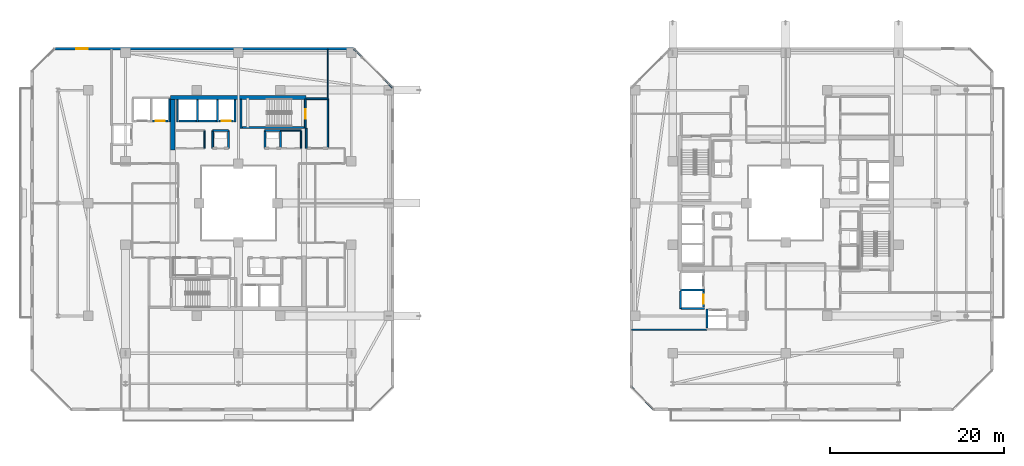
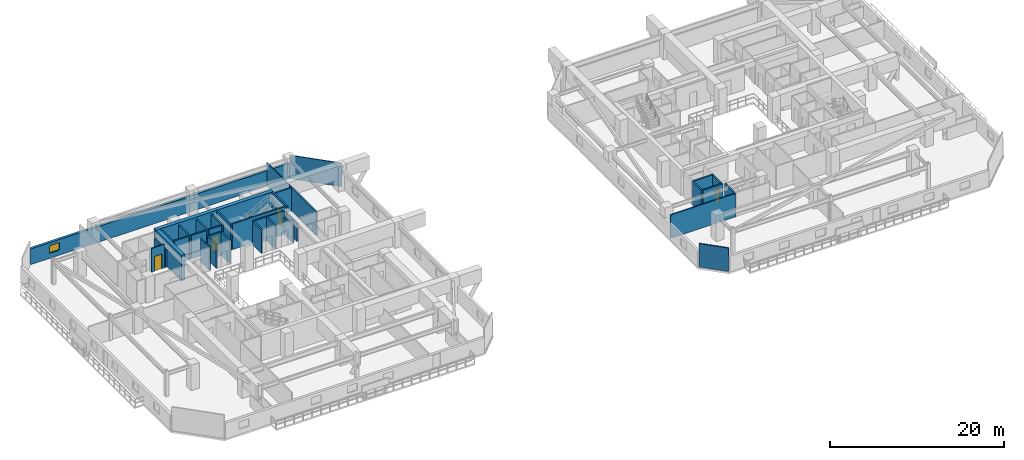
# One storey, part 23 of 35: 36 walls, 4 doors, 1 window, 5 openings.
"""IFC4 building model written with IfcOpenShell, lengths in metres."""

import ifcopenshell
import ifcopenshell.guid

model = None  # the IFC model being written
_history = None  # IfcOwnerHistory: only IFC2X3 demands one
_inside = {}  # id of a spatial element -> (the spatial element, [elements in it])
_under = {}  # id of a project, library or spatial element -> (it, [spatial elements below it])
_declared = {}  # id of a project -> (the project, [libraries it declares])
_typed = {}  # id of a type object -> (the type object, [elements of that type])
_made_of = {}  # id of a material, layer set ... -> (it, [elements and type objects made of it])


def new_model(schema):
    """Start an empty IFC model of exactly this schema.

    Asked for "IFC4X3", IfcOpenShell would pick the latest addendum, in which some entities
    have other attributes; the version numbers below select the first issue.
    IFC2X3 requires an IfcOwnerHistory on every rooted entity: one is made here for all.
    """
    global model, _history
    if schema == "IFC4X3":
        model = ifcopenshell.file(schema_version=(4, 3, 0, 0))
    else:
        model = ifcopenshell.file(schema=schema)
    _inside.clear()
    _under.clear()
    _declared.clear()
    _typed.clear()
    _made_of.clear()
    _history = None
    if model.schema == "IFC2X3":
        org = make("IfcOrganization", Name="unknown")
        user = make(
            "IfcPersonAndOrganization",
            ThePerson=make("IfcPerson", FamilyName="unknown"),
            TheOrganization=org,
        )
        app = make(
            "IfcApplication",
            ApplicationDeveloper=org,
            Version="unknown",
            ApplicationFullName="unknown",
            ApplicationIdentifier="unknown",
        )
        _history = make(
            "IfcOwnerHistory",
            OwningUser=user,
            OwningApplication=app,
            ChangeAction="ADDED",
            CreationDate=0,
        )
    return model


def make(cls, **values):
    """One entity of the class cls with the attributes given. An attribute that is None is left unset."""
    return model.create_entity(
        cls, **{name: value for name, value in values.items() if value is not None}
    )


def rooted(cls, **values):
    """An entity with a GlobalId (a new one), such as an element, a storey or a relation."""
    return make(cls, GlobalId=ifcopenshell.guid.new(), OwnerHistory=_history, **values)


def si_unit(unit_type, name, prefix=None):
    """IfcSIUnit, for example si_unit("LENGTHUNIT", "METRE", prefix="MILLI")."""
    return make("IfcSIUnit", UnitType=unit_type, Prefix=prefix, Name=name)


def assignment(units):
    """IfcUnitAssignment: the units of a project."""
    return None if units is None else make("IfcUnitAssignment", Units=units)


def point(xyz):
    """IfcCartesianPoint."""
    return None if xyz is None else make("IfcCartesianPoint", Coordinates=xyz)


def direction(xyz):
    """IfcDirection."""
    return None if xyz is None else make("IfcDirection", DirectionRatios=xyz)


def frame(location, z_axis=None, x_axis=None):
    """IfcAxis2Placement3D, a coordinate frame: its origin and axes. An axis left out is left unset."""
    return make(
        "IfcAxis2Placement3D",
        Location=point(location),
        Axis=direction(z_axis),
        RefDirection=direction(x_axis),
    )


def frame_2d(location, x_axis=None):
    """IfcAxis2Placement2D, a coordinate frame in the plane: its origin and x axis."""
    return make(
        "IfcAxis2Placement2D", Location=point(location), RefDirection=direction(x_axis)
    )


def origin():
    """The frame at (0, 0, 0) with its axes left unset."""
    return frame((0.0, 0.0, 0.0))


def place(relative_to, where):
    """IfcLocalPlacement: puts the frame where relative to a parent placement (None: the world)."""
    return make(
        "IfcLocalPlacement", PlacementRelTo=relative_to, RelativePlacement=where
    )


def context(
    kind, dimensions, precision=None, world=None, true_north=None, identifier=None
):
    """IfcGeometricRepresentationContext, for example the 3D "Model" context."""
    return make(
        "IfcGeometricRepresentationContext",
        ContextIdentifier=identifier,
        ContextType=kind,
        CoordinateSpaceDimension=dimensions,
        Precision=precision,
        WorldCoordinateSystem=world,
        TrueNorth=true_north,
    )


def subcontext(parent, identifier, kind, view, scale=None):
    """IfcGeometricRepresentationSubContext, for example "Body" below "Model"."""
    return make(
        "IfcGeometricRepresentationSubContext",
        ContextIdentifier=identifier,
        ContextType=kind,
        ParentContext=parent,
        TargetScale=scale,
        TargetView=view,
    )


def project(units=None, contexts=None):
    """IfcProject with its units and contexts."""
    return rooted(
        "IfcProject",
        Name="project",
        RepresentationContexts=contexts,
        UnitsInContext=assignment(units),
    )


def spatial(cls, under=None, at=None, **own):
    """A site, building, storey or space (cls), placed at a placement, below another one or the project."""
    s = rooted(cls, ObjectPlacement=at, **own)
    if under is not None:
        _under.setdefault(under.id(), (under, []))[1].append(s)
    return s


def profile(cls, at=None, kind="AREA", **sizes):
    """A parametric profile (cls). Its sizes go by their IFC names, for example OverallWidth=200.0."""
    return make(cls, ProfileType=kind, Position=at, **sizes)


def rectangle(**sizes):
    """IfcRectangleProfileDef."""
    return profile("IfcRectangleProfileDef", **sizes)


def extrude(swept, where, along, depth):
    """IfcExtrudedAreaSolid: the profile swept, set in the frame where, extruded along a direction by depth."""
    return make(
        "IfcExtrudedAreaSolid",
        SweptArea=swept,
        Position=where,
        ExtrudedDirection=direction(along),
        Depth=depth,
    )


def shape(context_of_items, identifier, shape_type, items):
    """IfcShapeRepresentation: the items that make up one representation, for example the "Body"."""
    return make(
        "IfcShapeRepresentation",
        ContextOfItems=context_of_items,
        RepresentationIdentifier=identifier,
        RepresentationType=shape_type,
        Items=items,
    )


def material(Name=None, Category=None):
    """IfcMaterial."""
    return make("IfcMaterial", Name=Name, Category=Category)


def layer(
    of_material, thickness, ventilated=None, Name=None, Category=None, Priority=None
):
    """IfcMaterialLayer: one layer of a wall or slab, of a material (None: an air gap)."""
    return make(
        "IfcMaterialLayer",
        Material=of_material,
        LayerThickness=thickness,
        IsVentilated=ventilated,
        Name=Name,
        Category=Category,
        Priority=Priority,
    )


def layer_set(layers, Name=None):
    """IfcMaterialLayerSet."""
    return make("IfcMaterialLayerSet", MaterialLayers=layers, LayerSetName=Name)


def made_of(thing, what):
    """Note that an element or type object is made of a material, layer set ...; save() writes the relation."""
    if what is not None:
        _made_of.setdefault(what.id(), (what, []))[1].append(thing)
    return thing


def type_object(cls, material=None, **own):
    """A type object (cls), such as IfcWallType, which elements share."""
    return made_of(rooted(cls, **own), material)


def element(
    cls,
    number,
    at=None,
    inside=None,
    cuts=None,
    type_object=None,
    material=None,
    context=None,
    identifier="Body",
    shape_type=None,
    held_by="IfcProductDefinitionShape",
    body=None,
    shapes=None,
    **own,
):
    """One element of the class cls, such as IfcWall. Its Tag is "e" and its number.

    at: its placement. inside: the storey or other place that contains it. cuts: it is an
    opening in that element (IfcRelVoidsElement). A single representation is given by context,
    identifier, shape_type and body (its items); several are given by shapes. held_by: the class
    of the entity that holds the representations. save() writes the other relations.
    """
    e = rooted(cls, Tag="e%d" % number, ObjectPlacement=at, **own)
    if body is not None:
        shapes = [shape(context, identifier, shape_type, body)]
    if shapes is not None:
        e.Representation = make(held_by, Representations=shapes)
    if inside is not None:
        _inside.setdefault(inside.id(), (inside, []))[1].append(e)
    if cuts is not None:
        rooted(
            "IfcRelVoidsElement", RelatingBuildingElement=cuts, RelatedOpeningElement=e
        )
    if type_object is not None:
        _typed.setdefault(type_object.id(), (type_object, []))[1].append(e)
    return made_of(e, material)


def fill(opening, filler):
    """IfcRelFillsElement: the door or window that sits in an opening."""
    return rooted(
        "IfcRelFillsElement",
        RelatingOpeningElement=opening,
        RelatedBuildingElement=filler,
    )


def aggregate(whole, parts):
    """IfcRelAggregates: a whole, such as a stair, and the parts it consists of."""
    return rooted("IfcRelAggregates", RelatingObject=whole, RelatedObjects=parts)


def save(model, path):
    """Write the relations noted so far, then the file.

    IfcRelAggregates (storeys below a building ...), IfcRelContainedInSpatialStructure (elements
    in a storey), IfcRelDefinesByType, IfcRelAssociatesMaterial and IfcRelDeclares: one each for
    every whole, place, type object, material and project.
    """
    for whole, parts in _under.values():
        aggregate(whole, parts)
    for where, things in _inside.values():
        rooted(
            "IfcRelContainedInSpatialStructure",
            RelatedElements=things,
            RelatingStructure=where,
        )
    for kind, things in _typed.values():
        rooted("IfcRelDefinesByType", RelatedObjects=things, RelatingType=kind)
    for what, things in _made_of.values():
        rooted("IfcRelAssociatesMaterial", RelatedObjects=things, RelatingMaterial=what)
    for by, libraries in _declared.values():
        rooted("IfcRelDeclares", RelatingContext=by, RelatedDefinitions=libraries)
    model.write(path)


model = new_model("IFC4")

# Units and contexts
model_context = context("Model", 3, precision=1e-05, world=origin(), true_north=direction((0.0, 1.0)))
body_context = subcontext(model_context, "Body", "Model", "MODEL_VIEW")
ifc_project = project(units=[si_unit("LENGTHUNIT", "METRE"), si_unit("AREAUNIT", "SQUARE_METRE"), si_unit("VOLUMEUNIT", "CUBIC_METRE"), si_unit("PLANEANGLEUNIT", "RADIAN"), si_unit("MASSUNIT", "GRAM", prefix="KILO")], contexts=[model_context])

# Site, building, storey
site_placement = place(None, origin())
site = spatial("IfcSite", under=ifc_project, at=site_placement, CompositionType="ELEMENT")
building_placement = place(site_placement, origin())
building = spatial("IfcBuilding", under=site, at=building_placement, Name="Thornwick Lancets Civic Towers", CompositionType="ELEMENT")
storey_placement = place(building_placement, frame((0.0, 0.0, 145.5)))
storey = spatial("IfcBuildingStorey", under=building, at=storey_placement, Name="L38", CompositionType="ELEMENT", Elevation=145.5)

# Wall, opening, door
ifc_material_1 = material(Name="Concrete blockwork C40/50", Category="masonry")
ifc_layer_1 = layer(ifc_material_1, 0.199951171875, Name="Concrete blockwork C40/50")
ifc_layer_set_1 = layer_set([ifc_layer_1], Name="Concrete blockwork C40/50")
wall_type_1 = type_object("IfcWallType", Name="WALL_COMP_200", PredefinedType="STANDARD", material=ifc_layer_set_1)
wall_1_placement = place(storey_placement, frame((24.919921875, 36.449951171875, 0.0), z_axis=(0.0, 0.0, 1.0), x_axis=(-1.0, 0.0, 0.0)))
wall_1 = element("IfcWall", 1, at=wall_1_placement, inside=storey, type_object=wall_type_1, Name="L38 Hoistway Front Wall FL-A2", PredefinedType="STANDARD", context=body_context, shape_type="SweptSolid", body=[
    extrude(rectangle(XDim=1.639892578125, YDim=0.199951171875, at=frame_2d((0.81982421875, 0.0))), origin(), (0.0, 0.0, 1.0), 3.300048828125),
])
opening_1_placement = place(wall_1_placement, frame((0.31005859375, 0.0, 0.0)))
opening_1 = element("IfcOpeningElement", 2, at=opening_1_placement, cuts=wall_1, Name="Opening LD-FL-A2", PredefinedType="OPENING", context=body_context, shape_type="SweptSolid", body=[
    extrude(rectangle(XDim=1.02001953125, YDim=2.06005859375, at=frame_2d((0.510009765625, 1.030029296875))), frame((0.0, 0.10986328125, 0.0), z_axis=(0.0, -1.0, 0.0), x_axis=(1.0, 0.0, 0.0)), (0.0, 0.0, 1.0), 0.219970703125),
])
ifc_material_2 = material(Name="Brushed bronze stainless steel", Category="steel")
door_type_1 = type_object("IfcDoorType", Name="DOOR_LIFT_SLIDE", OperationType="SLIDING_TO_LEFT", PredefinedType="DOOR", material=ifc_material_2)
door_1_placement = place(opening_1_placement, origin())
door_1 = element("IfcDoor", 3, at=door_1_placement, inside=storey, type_object=door_type_1, Name="L38 Sliding Lift Landing Door LD-FL-A2", OperationType="SLIDING_TO_LEFT", OverallHeight=2.06005859375, OverallWidth=1.02001953125, PredefinedType="DOOR", context=body_context, shape_type="SweptSolid", body=[
    extrude(rectangle(XDim=1.02001953125, YDim=2.06005859375, at=frame_2d((0.510009765625, 1.030029296875))), frame((0.0, 0.02490234375, 0.0), z_axis=(0.0, -1.0, 0.0), x_axis=(1.0, 0.0, 0.0)), (0.0, 0.0, 1.0), 0.050048828125),
])
fill(opening_1, door_1)

# Walls
wall_2_placement = place(storey_placement, frame((22.919921875, 36.449951171875, 0.0), z_axis=(0.0, 0.0, 1.0), x_axis=(-1.0, 0.0, 0.0)))
element("IfcWall", 4, at=wall_2_placement, inside=storey, type_object=wall_type_1, Name="L38 Hoistway Front Wall PL-AH2", PredefinedType="STANDARD", context=body_context, shape_type="SweptSolid", body=[
    extrude(rectangle(XDim=1.989990234375, YDim=0.199951171875, at=frame_2d((0.9951171875, 0.0))), origin(), (0.0, 0.0, 1.0), 3.300048828125),
])
wall_3_placement = place(storey_placement, frame((20.6201171875, 36.449951171875, 0.0), z_axis=(0.0, 0.0, 1.0), x_axis=(-1.0, 0.0, 0.0)))
element("IfcWall", 5, at=wall_3_placement, inside=storey, type_object=wall_type_1, Name="L38 Hoistway Front Wall PL-AH3", PredefinedType="STANDARD", context=body_context, shape_type="SweptSolid", body=[
    extrude(rectangle(XDim=1.940185546875, YDim=0.199951171875, at=frame_2d((0.97021484375, 0.0))), origin(), (0.0, 0.0, 1.0), 3.300048828125),
])

# Wall, opening, door
wall_4_placement = place(storey_placement, frame((17.3701171875, 36.449951171875, 0.0), z_axis=(0.0, 0.0, 1.0), x_axis=(-1.0, 0.0, 0.0)))
wall_4 = element("IfcWall", 6, at=wall_4_placement, inside=storey, type_object=wall_type_1, Name="L38 Hoistway Front Wall PL-AM1", PredefinedType="STANDARD", context=body_context, shape_type="SweptSolid", body=[
    extrude(rectangle(XDim=1.740234375, YDim=0.199951171875, at=frame_2d((0.8701171875, 0.0))), origin(), (0.0, 0.0, 1.0), 3.300048828125),
])
opening_2_placement = place(wall_4_placement, frame((0.360107421875, 0.0, 0.0)))
opening_2 = element("IfcOpeningElement", 7, at=opening_2_placement, cuts=wall_4, Name="Opening LD-PL-AM1", PredefinedType="OPENING", context=body_context, shape_type="SweptSolid", body=[
    extrude(rectangle(XDim=1.02001953125, YDim=2.06005859375, at=frame_2d((0.510009765625, 1.030029296875))), frame((0.0, 0.10986328125, 0.0), z_axis=(0.0, -1.0, 0.0), x_axis=(1.0, 0.0, 0.0)), (0.0, 0.0, 1.0), 0.219970703125),
])
door_2_placement = place(opening_2_placement, origin())
door_2 = element("IfcDoor", 8, at=door_2_placement, inside=storey, type_object=door_type_1, Name="L38 Sliding Lift Landing Door LD-PL-AM1", OperationType="SLIDING_TO_LEFT", OverallHeight=2.06005859375, OverallWidth=1.02001953125, PredefinedType="DOOR", context=body_context, shape_type="SweptSolid", body=[
    extrude(rectangle(XDim=1.02001953125, YDim=2.06005859375, at=frame_2d((0.510009765625, 1.030029296875))), frame((0.0, 0.02490234375, 0.0), z_axis=(0.0, -1.0, 0.0), x_axis=(1.0, 0.0, 0.0)), (0.0, 0.0, 1.0), 0.050048828125),
])
fill(opening_2, door_2)

wall_5_placement = place(storey_placement, frame((79.050048828125, 15.030029296875, 0.0), z_axis=(0.0, 0.0, 1.0), x_axis=(0.0, 1.0, 0.0)))
wall_5 = element("IfcWall", 9, at=wall_5_placement, inside=storey, type_object=wall_type_1, Name="L38 Hoistway Front Wall PL-BM2", PredefinedType="STANDARD", context=body_context, shape_type="SweptSolid", body=[
    extrude(rectangle(XDim=1.7900390625, YDim=0.199951171875, at=frame_2d((0.89501953125, 0.0))), origin(), (0.0, 0.0, 1.0), 3.300048828125),
])
opening_3_placement = place(wall_5_placement, frame((0.385009765625, 0.0, 0.0)))
opening_3 = element("IfcOpeningElement", 10, at=opening_3_placement, cuts=wall_5, Name="Opening LD-PL-BM2", PredefinedType="OPENING", context=body_context, shape_type="SweptSolid", body=[
    extrude(rectangle(XDim=1.02001953125, YDim=2.06005859375, at=frame_2d((0.510009765625, 1.030029296875))), frame((0.0, 0.10986328125, 0.0), z_axis=(0.0, -1.0, 0.0), x_axis=(1.0, 0.0, 0.0)), (0.0, 0.0, 1.0), 0.219970703125),
])
door_3_placement = place(opening_3_placement, origin())
door_3 = element("IfcDoor", 11, at=door_3_placement, inside=storey, type_object=door_type_1, Name="L38 Sliding Lift Landing Door LD-PL-BM2", OperationType="SLIDING_TO_LEFT", OverallHeight=2.06005859375, OverallWidth=1.02001953125, PredefinedType="DOOR", context=body_context, shape_type="SweptSolid", body=[
    extrude(rectangle(XDim=1.02001953125, YDim=2.06005859375, at=frame_2d((0.510009765625, 1.030029296875))), frame((0.0, 0.02490234375, 0.0), z_axis=(0.0, -1.0, 0.0), x_axis=(1.0, 0.0, 0.0)), (0.0, 0.0, 1.0), 0.050048828125),
])
fill(opening_3, door_3)

# Walls
for number, where, z_axis, x_axis, name in (
    (12, (25.10009765625, 36.35205078125, 0.0), (0.0, 0.0, 1.0), (0.0, 1.0, 0.0), "L38 Hoistway Shaft Wall FL-A2 E"),
    (13, (23.10009765625, 36.35205078125, 0.0), (0.0, 0.0, 1.0), (0.0, 1.0, 0.0), "L38 Hoistway Shaft Wall FL-A2 W"),
    (14, (20.77490234375, 36.35205078125, 0.0), (0.0, 0.0, 1.0), (0.0, 1.0, 0.0), "L38 Hoistway Shaft Wall PL-AH2 W"),
    (15, (18.5, 36.35205078125, 0.0), (0.0, 0.0, 1.0), (0.0, 1.0, 0.0), "L38 Hoistway Shaft Wall PL-AH3 W"),
):
    element("IfcWall", number, at=place(storey_placement, frame(where, z_axis=z_axis, x_axis=x_axis)), inside=storey, type_object=wall_type_1, Name=name, PredefinedType="STANDARD", context=body_context, shape_type="SweptSolid", body=[
        extrude(rectangle(XDim=2.535888671875, YDim=0.199951171875, at=frame_2d((1.26806640625, 0.0))), origin(), (0.0, 0.0, 1.0), 3.300048828125),
    ])
wall_6_placement = place(storey_placement, frame((17.550048828125, 36.35205078125, 0.0), z_axis=(0.0, 0.0, 1.0), x_axis=(0.0, 1.0, 0.0)))
element("IfcWall", 16, at=wall_6_placement, inside=storey, type_object=wall_type_1, Name="L38 Hoistway Shaft Wall PL-AM1 E", PredefinedType="STANDARD", context=body_context, shape_type="SweptSolid", body=[
    extrude(rectangle(XDim=2.635986328125, YDim=0.199951171875, at=frame_2d((1.31787109375, 0.0))), origin(), (0.0, 0.0, 1.0), 2.5048828125),
])
wall_7_placement = place(storey_placement, frame((76.402099609375, 16.97509765625, 0.0), z_axis=(0.0, 0.0, 1.0), x_axis=(1.0, 0.0, 0.0)))
element("IfcWall", 17, at=wall_7_placement, inside=storey, type_object=wall_type_1, Name="L38 Hoistway Shaft Wall PL-BM1 S", PredefinedType="STANDARD", context=body_context, shape_type="SweptSolid", body=[
    extrude(rectangle(XDim=2.745849609375, YDim=0.199951171875, at=frame_2d((1.373046875, 0.0))), origin(), (0.0, 0.0, 1.0), 3.300048828125),
])
wall_8_placement = place(storey_placement, frame((76.39990234375, 14.85205078125, 0.0), z_axis=(0.0, 0.0, 1.0), x_axis=(0.0, 1.0, 0.0)))
element("IfcWall", 18, at=wall_8_placement, inside=storey, type_object=wall_type_1, Name="L38 Hoistway Shaft Wall PL-BM1 W", PredefinedType="STANDARD", context=body_context, shape_type="SweptSolid", body=[
    extrude(rectangle(XDim=2.015869140625, YDim=0.199951171875, at=frame_2d((1.0078125, 0.0))), origin(), (0.0, 0.0, 1.0), 3.300048828125),
])
wall_9_placement = place(storey_placement, frame((76.511962890625, 14.85009765625, 0.0), z_axis=(0.0, 0.0, 1.0), x_axis=(1.0, 0.0, 0.0)))
element("IfcWall", 19, at=wall_9_placement, inside=storey, type_object=wall_type_1, Name="L38 Hoistway Shaft Wall PL-BM2 S", PredefinedType="STANDARD", context=body_context, shape_type="SweptSolid", body=[
    extrude(rectangle(XDim=2.635986328125, YDim=0.199951171875, at=frame_2d((1.31787109375, 0.0))), origin(), (0.0, 0.0, 1.0), 3.300048828125),
])
wall_10_placement = place(storey_placement, frame((79.449951171875, 12.612060546875, 0.0), z_axis=(0.0, 0.0, 1.0), x_axis=(0.0, 1.0, 0.0)))
element("IfcWall", 20, at=wall_10_placement, inside=storey, type_object=wall_type_1, Name="L38 Hoistway Shaft Wall PL-BM3 W", PredefinedType="STANDARD", context=body_context, shape_type="SweptSolid", body=[
    extrude(rectangle(XDim=2.18603515625, YDim=0.199951171875, at=frame_2d((1.093017578125, 0.0))), origin(), (0.0, 0.0, 1.0), 3.300048828125),
])
wall_11_placement = place(storey_placement, frame((35.800048828125, 33.300048828125, 0.0), z_axis=(0.0, 0.0, 1.0), x_axis=(0.0, 1.0, 0.0)))
element("IfcWall", 21, at=wall_11_placement, inside=storey, type_object=wall_type_1, Name="L38 Partition L38-A-FFLOB2 E2", PredefinedType="STANDARD", context=body_context, shape_type="SweptSolid", body=[
    extrude(rectangle(XDim=5.699951171875, YDim=0.199951171875, at=frame_2d((2.85009765625, 0.0))), origin(), (0.0, 0.0, 1.0), 3.300048828125),
])
wall_12_placement = place(storey_placement, frame((35.800048828125, 39.0, 0.0), z_axis=(0.0, 0.0, 1.0), x_axis=(-1.0, 0.0, 0.0)))
element("IfcWall", 22, at=wall_12_placement, inside=storey, type_object=wall_type_1, Name="L38 Partition L38-A-FFLOB2 E3", PredefinedType="STANDARD", context=body_context, shape_type="SweptSolid", body=[
    extrude(rectangle(XDim=2.5, YDim=0.199951171875, at=frame_2d((1.25, 0.0))), origin(), (0.0, 0.0, 1.0), 3.300048828125),
])
wall_13_placement = place(storey_placement, frame((33.300048828125, 35.60009765625, 0.0), z_axis=(0.0, 0.0, 1.0), x_axis=(0.0, -1.0, 0.0)))
element("IfcWall", 23, at=wall_13_placement, inside=storey, type_object=wall_type_1, Name="L38 Partition L38-A-FFLOB2 E4", PredefinedType="STANDARD", context=body_context, shape_type="SweptSolid", body=[
    extrude(rectangle(XDim=2.300048828125, YDim=0.199951171875, at=frame_2d((1.14990234375, 0.0))), origin(), (0.0, 0.0, 1.0), 2.5048828125),
])
wall_14_placement = place(storey_placement, frame((24.35009765625, 33.300048828125, 0.0), z_axis=(0.0, 0.0, 1.0), x_axis=(0.0, 1.0, 0.0)))
element("IfcWall", 24, at=wall_14_placement, inside=storey, type_object=wall_type_1, Name="L38 Partition L38-A-DUCT2 E2", PredefinedType="STANDARD", context=body_context, shape_type="SweptSolid", body=[
    extrude(rectangle(XDim=2.050048828125, YDim=0.199951171875, at=frame_2d((1.02490234375, 0.0))), origin(), (0.0, 0.0, 1.0), 3.300048828125),
])
wall_15_placement = place(storey_placement, frame((24.35009765625, 35.35009765625, 0.0), z_axis=(0.0, 0.0, 1.0), x_axis=(-1.0, 0.0, 0.0)))
element("IfcWall", 25, at=wall_15_placement, inside=storey, type_object=wall_type_1, Name="L38 Partition L38-A-DUCT2 E3", PredefinedType="STANDARD", context=body_context, shape_type="SweptSolid", body=[
    extrude(rectangle(XDim=1.800048828125, YDim=0.199951171875, at=frame_2d((0.89990234375, 0.0))), origin(), (0.0, 0.0, 1.0), 3.300048828125),
])
for number, where, z_axis, x_axis, name in (
    (26, (22.550048828125, 35.35009765625, 0.0), (0.0, 0.0, 1.0), (0.0, -1.0, 0.0), "L38 Partition L38-A-DUCT2 E4"),
    (27, (30.35009765625, 33.300048828125, 0.0), (0.0, 0.0, 1.0), (0.0, 1.0, 0.0), "L38 Partition L38-A-RISER2 E2"),
):
    element("IfcWall", number, at=place(storey_placement, frame(where, z_axis=z_axis, x_axis=x_axis)), inside=storey, type_object=wall_type_1, Name=name, PredefinedType="STANDARD", context=body_context, shape_type="SweptSolid", body=[
        extrude(rectangle(XDim=2.050048828125, YDim=0.199951171875, at=frame_2d((1.02490234375, 0.0))), origin(), (0.0, 0.0, 1.0), 3.300048828125),
    ])
wall_16_placement = place(storey_placement, frame((30.35009765625, 35.35009765625, 0.0), z_axis=(0.0, 0.0, 1.0), x_axis=(-1.0, 0.0, 0.0)))
element("IfcWall", 28, at=wall_16_placement, inside=storey, type_object=wall_type_1, Name="L38 Partition L38-A-RISER2 E3", PredefinedType="STANDARD", context=body_context, shape_type="SweptSolid", body=[
    extrude(rectangle(XDim=1.800048828125, YDim=0.199951171875, at=frame_2d((0.89990234375, 0.0))), origin(), (0.0, 0.0, 1.0), 3.300048828125),
])
wall_17_placement = place(storey_placement, frame((28.550048828125, 35.35009765625, 0.0), z_axis=(0.0, 0.0, 1.0), x_axis=(0.0, -1.0, 0.0)))
element("IfcWall", 29, at=wall_17_placement, inside=storey, type_object=wall_type_1, Name="L38 Partition L38-A-RISER2 E4", PredefinedType="STANDARD", context=body_context, shape_type="SweptSolid", body=[
    extrude(rectangle(XDim=2.050048828125, YDim=0.199951171875, at=frame_2d((1.02490234375, 0.0))), origin(), (0.0, 0.0, 1.0), 3.300048828125),
])
ifc_material_3 = material(Name="Concrete C50/60", Category="concrete")
ifc_layer_2 = layer(ifc_material_3, 0.5, Name="Concrete C50/60")
ifc_layer_set_2 = layer_set([ifc_layer_2], Name="Concrete C50/60")
wall_type_2 = type_object("IfcWallType", Name="WALL_CORE_500", PredefinedType="SHEAR", material=ifc_layer_set_2)
wall_18_placement = place(storey_placement, frame((17.699951171875, 39.14990234375, 0.0), z_axis=(0.0, 0.0, 1.0), x_axis=(1.0, 0.0, 0.0)))
element("IfcWall", 30, at=wall_18_placement, inside=storey, type_object=wall_type_2, Name="L38 Split Core A2 Shear Wall N", PredefinedType="SHEAR", context=body_context, shape_type="SweptSolid", body=[
    extrude(rectangle(XDim=15.60009765625, YDim=0.5, at=frame_2d((7.800048828125, 0.0))), origin(), (0.0, 0.0, 1.0), 3.60009765625),
])
wall_19_placement = place(storey_placement, frame((17.949951171875, 33.10009765625, 0.0), z_axis=(0.0, 0.0, 1.0), x_axis=(0.0, 1.0, 0.0)))
element("IfcWall", 31, at=wall_19_placement, inside=storey, type_object=wall_type_2, Name="L38 Split Core A2 Shear Wall W", PredefinedType="SHEAR", context=body_context, shape_type="SweptSolid", body=[
    extrude(rectangle(XDim=5.7998046875, YDim=0.5, at=frame_2d((2.89990234375, 0.0))), origin(), (0.0, 0.0, 1.0), 3.60009765625),
])

# Wall, opening, window
ifc_material_4 = material(Name="Insulated buff terracotta rainscreen on concrete C40/50", Category="masonry")
ifc_layer_3 = layer(ifc_material_4, 0.320068359375, Name="Insulated buff terracotta rainscreen on concrete C40/50")
ifc_layer_set_3 = layer_set([ifc_layer_3], Name="Insulated buff terracotta rainscreen on concrete C40/50")
wall_type_3 = type_object("IfcWallType", Name="WALL_EXT_TERRA_320", PredefinedType="STANDARD", material=ifc_layer_set_3)
wall_20_placement = place(storey_placement, frame((38.7509765625, 44.75830078125, 0.0), z_axis=(0.0, 0.0, 1.0), x_axis=(-0.999999983007, 0.000184351399, 0.0)))
wall_20 = element("IfcWall", 32, at=wall_20_placement, inside=storey, type_object=wall_type_3, Name="L38 Tower A Terracotta Facade Wall E4", PredefinedType="STANDARD", context=body_context, shape_type="SweptSolid", body=[
    extrude(rectangle(XDim=34.432373046875, YDim=0.320068359375, at=frame_2d((17.21630859375, 0.0))), origin(), (0.0, 0.0, 1.0), 2.219970703125),
])
opening_4_placement = place(wall_20_placement, frame((30.60009765625, 0.0, 0.719970703125)))
opening_4 = element("IfcOpeningElement", 33, at=opening_4_placement, cuts=wall_20, Name="Opening WL-03", PredefinedType="OPENING", context=body_context, shape_type="SweptSolid", body=[
    extrude(rectangle(XDim=1.35009765625, YDim=1.050048828125, at=frame_2d((0.675048828125, 0.52490234375))), frame((0.0, 0.169921875, 0.0), z_axis=(0.0, -1.0, 0.0), x_axis=(1.0, 0.0, 0.0)), (0.0, 0.0, 1.0), 0.340087890625),
])
ifc_material_5 = material(Name="Clear low-e double glazing clerestory lancet", Category="glass")
window_type = type_object("IfcWindowType", Name="WIN_LANCET_1350", PartitioningType="SINGLE_PANEL", PredefinedType="WINDOW", material=ifc_material_5)
window_placement = place(opening_4_placement, origin())
window = element("IfcWindow", 34, at=window_placement, inside=storey, type_object=window_type, Name="L38 Tower A Staggered Lancet Window E4-1", OverallHeight=1.050048828125, OverallWidth=1.35009765625, PartitioningType="SINGLE_PANEL", PredefinedType="WINDOW", context=body_context, shape_type="SweptSolid", body=[
    extrude(rectangle(XDim=1.35009765625, YDim=1.050048828125, at=frame_2d((0.675048828125, 0.52490234375))), frame((0.0, 0.030029296875, 0.0), z_axis=(0.0, -1.0, 0.0), x_axis=(1.0, 0.0, 0.0)), (0.0, 0.0, 1.0), 0.06005859375),
])
fill(opening_4, window)

# Walls
ifc_material_6 = material(Name="Acoustic gypsum board partition")
ifc_layer_4 = layer(ifc_material_6, 0.1201171875, Name="Acoustic gypsum board partition")
ifc_layer_set_4 = layer_set([ifc_layer_4], Name="Acoustic gypsum board partition")
wall_type_4 = type_object("IfcWallType", Name="WALL_PART_120", PredefinedType="PARTITIONING", material=ifc_layer_set_4)
wall_21_placement = place(storey_placement, frame((35.800048828125, 39.0, 0.0), z_axis=(0.0, 0.0, 1.0), x_axis=(0.0, 1.0, 0.0)))
element("IfcWall", 35, at=wall_21_placement, inside=storey, type_object=wall_type_4, Name="L38 Partition L38-A-E4 E6", PredefinedType="PARTITIONING", context=body_context, shape_type="SweptSolid", body=[
    extrude(rectangle(XDim=5.719970703125, YDim=0.1201171875, at=frame_2d((2.85986328125, 0.0))), origin(), (0.0, 0.0, 1.0), 3.300048828125),
])
wall_22_placement = place(storey_placement, frame((38.787353515625, 44.719970703125, 0.0), z_axis=(0.0, 0.0, 1.0), x_axis=(0.707106781187, -0.707106781187, 0.0)))
element("IfcWall", 36, at=wall_22_placement, inside=storey, type_object=wall_type_4, Name="L38 Partition L38-A-E4 E8", PredefinedType="PARTITIONING", context=body_context, shape_type="SweptSolid", body=[
    extrude(rectangle(XDim=6.2685546875, YDim=0.1201171875, at=frame_2d((3.13427734375, 0.0))), origin(), (0.0, 0.0, 1.0), 3.300048828125),
])
ifc_material_7 = material(Name="Twin-stud acoustic gypsum board")
ifc_layer_5 = layer(ifc_material_7, 0.14990234375, Name="Twin-stud acoustic gypsum board")
ifc_layer_set_5 = layer_set([ifc_layer_5], Name="Twin-stud acoustic gypsum board")
wall_type_5 = type_object("IfcWallType", Name="WALL_PART_150", PredefinedType="PARTITIONING", material=ifc_layer_set_5)
wall_23_placement = place(storey_placement, frame((21.60009765625, 33.300048828125, 0.0), z_axis=(0.0, 0.0, 1.0), x_axis=(0.0, 1.0, 0.0)))
element("IfcWall", 37, at=wall_23_placement, inside=storey, type_object=wall_type_5, Name="L38 Partition L38-A-MWC E2", PredefinedType="PARTITIONING", context=body_context, shape_type="SweptSolid", body=[
    extrude(rectangle(XDim=2.050048828125, YDim=0.14990234375, at=frame_2d((1.02490234375, 0.0))), origin(), (0.0, 0.0, 1.0), 3.300048828125),
])
wall_24_placement = place(storey_placement, frame((32.699951171875, 35.35009765625, 0.0), z_axis=(0.0, 0.0, 1.0), x_axis=(0.0, -1.0, 0.0)))
element("IfcWall", 38, at=wall_24_placement, inside=storey, type_object=wall_type_5, Name="L38 Partition L38-A-FWC E1", PredefinedType="PARTITIONING", context=body_context, shape_type="SweptSolid", body=[
    extrude(rectangle(XDim=2.050048828125, YDim=0.14990234375, at=frame_2d((1.02490234375, 0.0))), origin(), (0.0, 0.0, 1.0), 2.5048828125),
])
wall_25_placement = place(storey_placement, frame((30.35009765625, 35.35009765625, 0.0), z_axis=(0.0, 0.0, 1.0), x_axis=(1.0, 0.0, 0.0)))
element("IfcWall", 39, at=wall_25_placement, inside=storey, type_object=wall_type_5, Name="L38 Partition L38-A-FWC E4", PredefinedType="PARTITIONING", context=body_context, shape_type="SweptSolid", body=[
    extrude(rectangle(XDim=2.349853515625, YDim=0.14990234375, at=frame_2d((1.1748046875, 0.0))), origin(), (0.0, 0.0, 1.0), 3.300048828125),
])
wall_26_placement = place(storey_placement, frame((73.274658203125, 3.280029296875, 0.0), z_axis=(0.0, 0.0, 1.0), x_axis=(-0.707106781187, 0.707106781187, 0.0)))
element("IfcWall", 40, at=wall_26_placement, inside=storey, type_object=wall_type_5, Name="L38 Partition L38-B-W4 E7", PredefinedType="PARTITIONING", context=body_context, shape_type="SweptSolid", body=[
    extrude(rectangle(XDim=3.52783203125, YDim=0.14990234375, at=frame_2d((1.763916015625, 0.0))), origin(), (0.0, 0.0, 1.0), 3.300048828125),
])
wall_27_placement = place(storey_placement, frame((70.780029296875, 12.39990234375, 0.0), z_axis=(0.0, 0.0, 1.0), x_axis=(1.0, 0.0, 0.0)))
element("IfcWall", 41, at=wall_27_placement, inside=storey, type_object=wall_type_5, Name="L38 Partition L38-B-W4 E9", PredefinedType="PARTITIONING", context=body_context, shape_type="SweptSolid", body=[
    extrude(rectangle(XDim=8.671875, YDim=0.14990234375, at=frame_2d((4.3359375, 0.0))), origin(), (0.0, 0.0, 1.0), 3.300048828125),
])

# Wall, opening, door
ifc_material_8 = material(Name="Concrete C40/50", Category="concrete")
ifc_layer_6 = layer(ifc_material_8, 0.199951171875, Name="Concrete C40/50")
ifc_layer_set_6 = layer_set([ifc_layer_6], Name="Concrete C40/50")
wall_type_6 = type_object("IfcWallType", Name="WALL_SHAFT_200", PredefinedType="SHEAR", material=ifc_layer_set_6)
wall_28_placement = place(storey_placement, frame((33.199951171875, 38.949951171875, 0.0), z_axis=(0.0, 0.0, 1.0), x_axis=(0.0, -1.0, 0.0)))
wall_28 = element("IfcWall", 42, at=wall_28_placement, inside=storey, type_object=wall_type_6, Name="L38 ST-A2 Fire Stair Core Wall NEAR", PredefinedType="SHEAR", context=body_context, shape_type="SweptSolid", body=[
    extrude(rectangle(XDim=3.349853515625, YDim=0.199951171875, at=frame_2d((1.6748046875, 0.0))), origin(), (0.0, 0.0, 1.0), 3.60009765625),
])
opening_5_placement = place(wall_28_placement, frame((1.125, 0.0, 0.0)))
opening_5 = element("IfcOpeningElement", 43, at=opening_5_placement, cuts=wall_28, Name="Opening D-ST-A2-L38", PredefinedType="OPENING", context=body_context, shape_type="SweptSolid", body=[
    extrude(rectangle(XDim=1.10009765625, YDim=2.10009765625, at=frame_2d((0.550048828125, 1.050048828125))), frame((0.0, 0.10986328125, 0.0), z_axis=(0.0, -1.0, 0.0), x_axis=(1.0, 0.0, 0.0)), (0.0, 0.0, 1.0), 0.219970703125),
])
ifc_material_9 = material(Name="Fire-resisting steel and hardwood", Category="steel")
door_type_2 = type_object("IfcDoorType", Name="DOOR_STAIR_FD60", OperationType="NOTDEFINED", PredefinedType="DOOR", material=ifc_material_9)
door_4_placement = place(opening_5_placement, origin())
door_4 = element("IfcDoor", 44, at=door_4_placement, inside=storey, type_object=door_type_2, Name="L38 ST-A2 Exit Stair Door", OperationType="SINGLE_SWING_LEFT", OverallHeight=2.10009765625, OverallWidth=1.10009765625, PredefinedType="DOOR", context=body_context, shape_type="SweptSolid", body=[
    extrude(rectangle(XDim=1.10009765625, YDim=2.10009765625, at=frame_2d((0.550048828125, 1.050048828125))), frame((0.0, 0.02490234375, 0.0), z_axis=(0.0, -1.0, 0.0), x_axis=(1.0, 0.0, 0.0)), (0.0, 0.0, 1.0), 0.050048828125),
])
fill(opening_5, door_4)

# Walls
wall_29_placement = place(storey_placement, frame((25.800048828125, 35.60009765625, 0.0), z_axis=(0.0, 0.0, 1.0), x_axis=(0.0, 1.0, 0.0)))
element("IfcWall", 45, at=wall_29_placement, inside=storey, type_object=wall_type_6, Name="L38 ST-A2 Fire Stair Core Wall FAR", PredefinedType="SHEAR", context=body_context, shape_type="SweptSolid", body=[
    extrude(rectangle(XDim=3.349853515625, YDim=0.199951171875, at=frame_2d((1.6748046875, 0.0))), origin(), (0.0, 0.0, 1.0), 3.60009765625),
])
wall_30_placement = place(storey_placement, frame((25.949951171875, 35.702880859375, 0.0), z_axis=(0.0, 0.0, 1.0), x_axis=(1.0, 0.0, 0.0)))
element("IfcWall", 46, at=wall_30_placement, inside=storey, type_object=wall_type_6, Name="L38 ST-A2 Fire Stair Core Wall RIGHT", PredefinedType="SHEAR", context=body_context, shape_type="SweptSolid", body=[
    extrude(rectangle(XDim=7.10009765625, YDim=0.199951171875, at=frame_2d((3.550048828125, 0.0))), origin(), (0.0, 0.0, 1.0), 3.60009765625),
])

save(model, "model.ifc")
